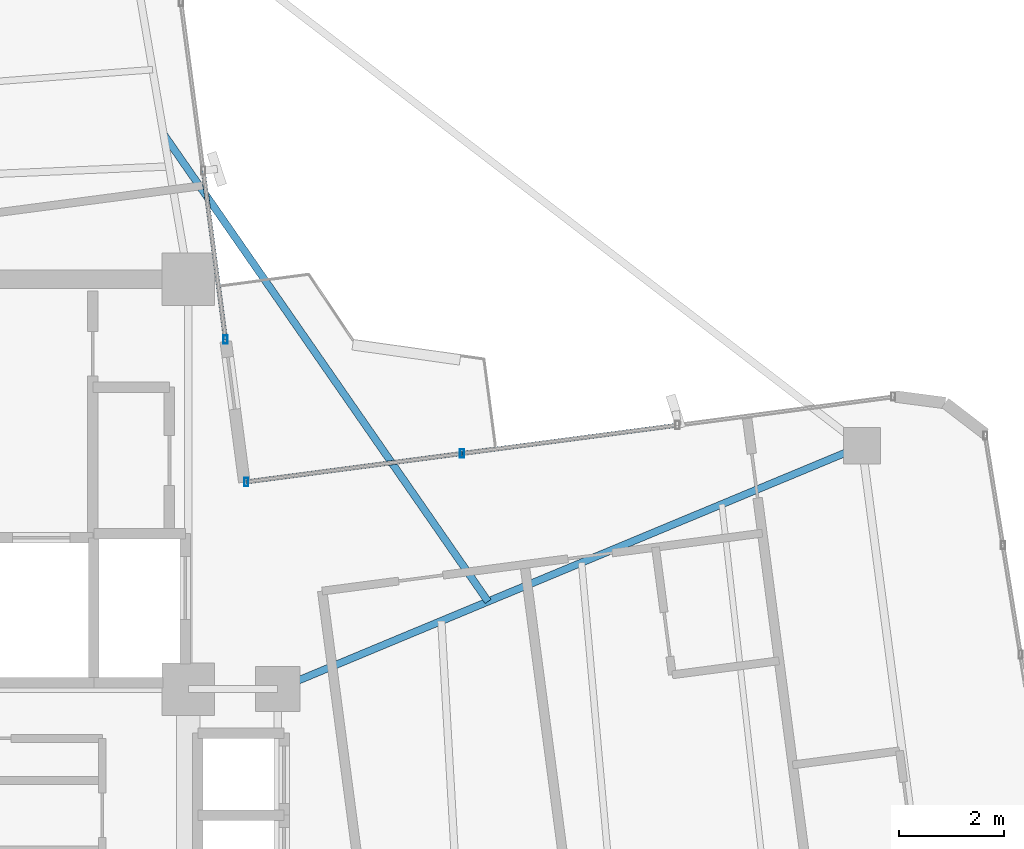
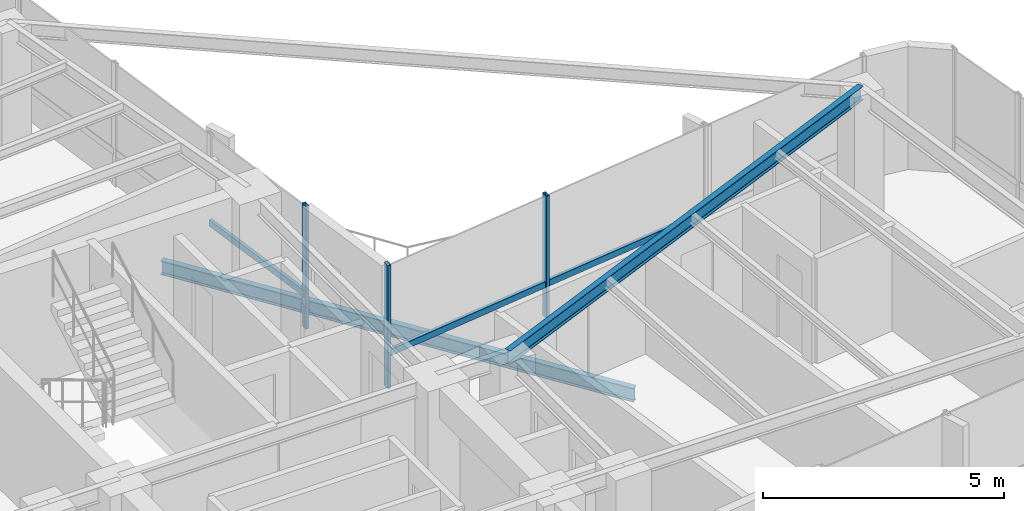
# One storey, part 10 of 21: 6 members, 2 beams, 2 elements without a shape of their own.
"""IFC4 building model written with IfcOpenShell, lengths in metres."""

from ifc_helpers import new_model, si_unit, direction, frame, origin, origin_2d, place, context, subcontext, project, spatial, hollow_rectangle, i_section, extrude, source, transform, mapped, material, material_profile, profile_set, type_object, element, aggregate, save


model = new_model("IFC4")

# Units and contexts
model_context = context("Model", 3, precision=1e-05, world=origin(), true_north=direction((0.0, 1.0)))
body_context = subcontext(model_context, "Body", "Model", "MODEL_VIEW")
ifc_project = project(units=[si_unit("LENGTHUNIT", "METRE"), si_unit("AREAUNIT", "SQUARE_METRE"), si_unit("VOLUMEUNIT", "CUBIC_METRE"), si_unit("PLANEANGLEUNIT", "RADIAN"), si_unit("MASSUNIT", "GRAM", prefix="KILO")], contexts=[model_context])

# Site, building, storey
site_placement = place(None, origin())
site = spatial("IfcSite", under=ifc_project, at=site_placement, CompositionType="ELEMENT")
building_placement = place(site_placement, origin())
building = spatial("IfcBuilding", under=site, at=building_placement, Name="Sahyath Konkavel Grand Hotel", CompositionType="ELEMENT")
storey_placement = place(building_placement, frame((0.0, 0.0, 216.550048828125)))
storey = spatial("IfcBuildingStorey", under=building, at=storey_placement, Name="L60", CompositionType="ELEMENT", Elevation=216.550048828125)

# Beam
ifc_material_1 = material(Name="Steel E350", Category="steel")
ifc_material_profile_1 = material_profile(ifc_material_1, i_section(OverallWidth=0.139892578125, OverallDepth=0.35009765625, WebThickness=0.008056640625, FlangeThickness=0.01416015625, FilletRadius=0.013916015625, at=origin_2d()), Name="ISMB 350")
ifc_profile_set_1 = profile_set([ifc_material_profile_1], Name="Steel E350")
beam_type_1 = type_object("IfcBeamType", Name="BM-ISMB350", PredefinedType="BEAM", material=ifc_profile_set_1)
shared_shape_1 = source(origin(), body_context, "Body", "SweptSolid", [
    extrude(i_section(OverallWidth=0.139892578125, OverallDepth=0.35009765625, WebThickness=0.008056640625, FlangeThickness=0.01416015625, FilletRadius=0.013916015625, at=origin_2d()), origin(), (0.0, 0.0, 1.0), 12.049560546875),
])
beam_1_placement = place(storey_placement, frame((5.5, 2.39990234375, 2.93505859375), z_axis=(0.923226714744, 0.384255687248, 0.0), x_axis=(-0.384255687248, 0.923226714744, 0.0)))
element("IfcBeam", 1, at=beam_1_placement, inside=storey, type_object=beam_type_1, Name="L60 Cruciform Radial Girder EB", PredefinedType="BEAM", context=body_context, shape_type="MappedRepresentation", body=[
    mapped(shared_shape_1, transform((0.0, 0.0, 0.0), scale=1.0)),
])

# Curtain wall, members
ifc_material_2 = material(Name="Anodised Bronze Aluminium & Low-E Glazing", Category="aluminium")
curtain_wall_type = type_object("IfcCurtainWallType", Name="CW-ZONE4", PredefinedType="NOTDEFINED", material=ifc_material_2)
curtain_wall_1_placement = place(storey_placement, origin())
curtain_wall_1 = element("IfcCurtainWall", 2, at=curtain_wall_1_placement, inside=storey, type_object=curtain_wall_type, Name="L60 Unitised Curtain Wall F7", PredefinedType="NOTDEFINED")
ifc_material_3 = material(Name="Anodised Bronze Aluminium", Category="aluminium")
ifc_material_profile_2 = material_profile(ifc_material_3, hollow_rectangle(XDim=0.080078125, YDim=0.159912109375, WallThickness=0.006103515625, at=origin_2d()), Name="RHS 160x80x6")
ifc_profile_set_2 = profile_set([ifc_material_profile_2], Name="Anodised Bronze Aluminium")
member_type_1 = type_object("IfcMemberType", Name="CW-MUL-160", PredefinedType="MULLION", material=ifc_profile_set_2)
shared_shape_2 = source(origin(), body_context, "Body", "SweptSolid", [
    extrude(hollow_rectangle(XDim=0.080078125, YDim=0.159912109375, WallThickness=0.006103515625, at=origin_2d()), origin(), (0.0, 0.0, 1.0), 3.10986328125),
])
member_1_placement = place(storey_placement, frame((9.008544921875, 6.884765625, 0.0), z_axis=(0.0, 0.0, 1.0), x_axis=(1.0, 0.0, 0.0)))
member_1 = element("IfcMember", 3, at=member_1_placement, type_object=member_type_1, Name="L60 Curtain Wall Mullion F7-2", PredefinedType="MULLION", context=body_context, shape_type="MappedRepresentation", body=[
    mapped(shared_shape_2, transform((0.0, 0.0, 0.0), scale=1.0)),
])
member_2_placement = place(storey_placement, frame((4.90380859375, 6.34423828125, 0.0), z_axis=(0.0, 0.0, 1.0), x_axis=(1.0, 0.0, 0.0)))
member_2 = element("IfcMember", 4, at=member_2_placement, type_object=member_type_1, Name="L60 Curtain Wall Mullion F7-3", PredefinedType="MULLION", context=body_context, shape_type="MappedRepresentation", body=[
    mapped(shared_shape_2, transform((0.0, 0.0, 0.0), scale=1.0)),
])

curtain_wall_2_placement = place(storey_placement, origin())
curtain_wall_2 = element("IfcCurtainWall", 5, at=curtain_wall_2_placement, inside=storey, type_object=curtain_wall_type, Name="L60 Unitised Curtain Wall F8", PredefinedType="NOTDEFINED")
member_3_placement = place(storey_placement, frame((4.506591796875, 9.0556640625, 0.0), z_axis=(0.0, 0.0, 1.0), x_axis=(1.0, 0.0, 0.0)))
member_3 = element("IfcMember", 6, at=member_3_placement, type_object=member_type_1, Name="L60 Curtain Wall Mullion F8-0", PredefinedType="MULLION", context=body_context, shape_type="MappedRepresentation", body=[
    mapped(shared_shape_2, transform((0.0, 0.0, 0.0), scale=1.0)),
])
ifc_material_profile_3 = material_profile(ifc_material_3, hollow_rectangle(XDim=0.080078125, YDim=0.159912109375, WallThickness=0.006103515625, at=origin_2d()), Name="RHS 160x80x6")
ifc_profile_set_3 = profile_set([ifc_material_profile_3], Name="Anodised Bronze Aluminium")
member_type_2 = type_object("IfcMemberType", Name="CW-TRN-160", PredefinedType="USERDEFINED", material=ifc_profile_set_3)
shared_shape_3 = source(origin(), body_context, "Body", "SweptSolid", [
    extrude(hollow_rectangle(XDim=0.080078125, YDim=0.159912109375, WallThickness=0.006103515625, at=origin_2d()), origin(), (0.0, 0.0, 1.0), 3.240234375),
])
member_4_placement = place(storey_placement, frame((4.506591796875, 9.0556640625, 0.849853515625), z_axis=(-0.130505189885, 0.991447626157, 0.0), x_axis=(-0.991447626157, -0.130505189885, 0.0)))
member_4 = element("IfcMember", 7, at=member_4_placement, type_object=member_type_2, Name="L60 Curtain Wall Transom F8-0-spandrel", ObjectType="TRANSOM", PredefinedType="USERDEFINED", context=body_context, shape_type="MappedRepresentation", body=[
    mapped(shared_shape_3, transform((0.0, 0.0, 0.0), scale=1.0)),
])
aggregate(curtain_wall_2, [member_3, member_4])

# Member
shared_shape_4 = source(origin(), body_context, "Body", "SweptSolid", [
    extrude(hollow_rectangle(XDim=0.080078125, YDim=0.159912109375, WallThickness=0.006103515625, at=origin_2d()), origin(), (0.0, 0.0, 1.0), 4.139892578125),
])
member_5_placement = place(storey_placement, frame((13.113037109375, 7.425048828125, 0.849853515625), z_axis=(-0.991447469582, -0.130506379383, 0.0), x_axis=(0.130506379383, -0.991447469582, 0.0)))
member_5 = element("IfcMember", 8, at=member_5_placement, type_object=member_type_2, Name="L60 Curtain Wall Transom F7-1-spandrel", ObjectType="TRANSOM", PredefinedType="USERDEFINED", context=body_context, shape_type="MappedRepresentation", body=[
    mapped(shared_shape_4, transform((0.0, 0.0, 0.0), scale=1.0)),
])

shared_shape_5 = source(origin(), body_context, "Body", "SweptSolid", [
    extrude(hollow_rectangle(XDim=0.080078125, YDim=0.159912109375, WallThickness=0.006103515625, at=origin_2d()), origin(), (0.0, 0.0, 1.0), 4.14013671875),
])
member_6_placement = place(storey_placement, frame((9.008544921875, 6.884765625, 0.849853515625), z_axis=(-0.99144084268, -0.130556713596, 0.0), x_axis=(0.130556713596, -0.99144084268, 0.0)))
member_6 = element("IfcMember", 9, at=member_6_placement, type_object=member_type_2, Name="L60 Curtain Wall Transom F7-2-spandrel", ObjectType="TRANSOM", PredefinedType="USERDEFINED", context=body_context, shape_type="MappedRepresentation", body=[
    mapped(shared_shape_5, transform((0.0, 0.0, 0.0), scale=1.0)),
])

aggregate(curtain_wall_1, [member_1, member_2, member_5, member_6])

# Beam
ifc_material_profile_4 = material_profile(ifc_material_1, i_section(OverallWidth=0.139892578125, OverallDepth=0.35009765625, WebThickness=0.008056640625, FlangeThickness=0.01416015625, FilletRadius=0.013916015625, at=origin_2d()), Name="ISMB 350")
ifc_profile_set_4 = profile_set([ifc_material_profile_4], Name="Steel E350")
beam_type_2 = type_object("IfcBeamType", Name="BM-BALC-CANT", PredefinedType="BEAM", material=ifc_profile_set_4)
shared_shape_6 = source(origin(), body_context, "Body", "SweptSolid", [
    extrude(i_section(OverallWidth=0.139892578125, OverallDepth=0.35009765625, WebThickness=0.008056640625, FlangeThickness=0.01416015625, FilletRadius=0.013916015625, at=origin_2d()), origin(), (0.0, 0.0, 1.0), 10.831298828125),
])
beam_2_placement = place(storey_placement, frame((9.5048828125, 4.06689453125, -0.4150390625), z_axis=(-0.570310057725, 0.821429508879, 0.0), x_axis=(-0.821429508879, -0.570310057725, 0.0)))
element("IfcBeam", 10, at=beam_2_placement, inside=storey, type_object=beam_type_2, Name="L60 Balcony Cantilever Support Beam NE", PredefinedType="BEAM", context=body_context, shape_type="MappedRepresentation", body=[
    mapped(shared_shape_6, transform((0.0, 0.0, 0.0), scale=1.0)),
])

save(model, "model.ifc")
